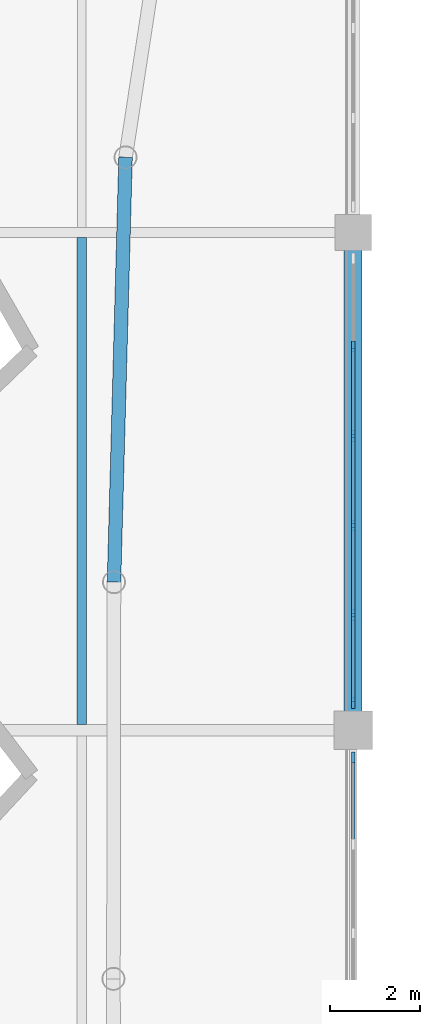
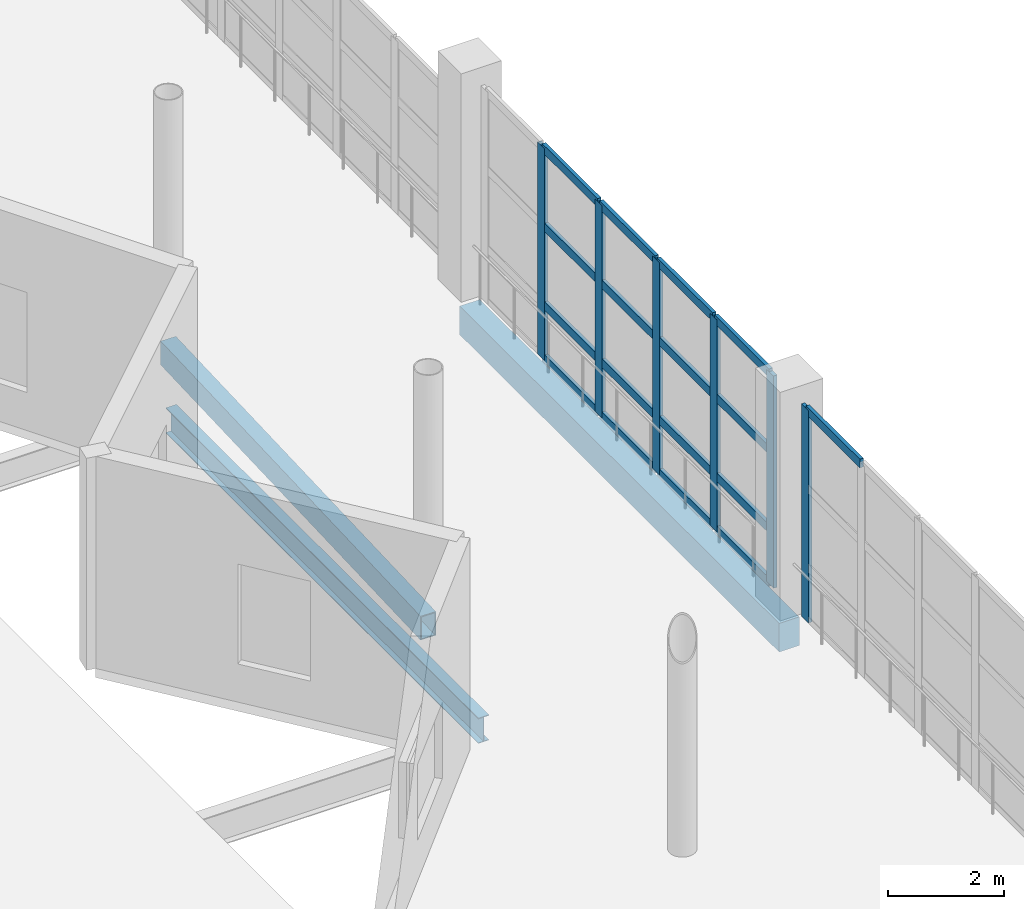
# One storey, part 15 of 53: 23 members, 3 beams, 2 elements without a shape of their own.
"""IFC4 building model written with IfcOpenShell, lengths in metres."""

import ifcopenshell
import ifcopenshell.guid

model = None  # the IFC model being written
_history = None  # IfcOwnerHistory: only IFC2X3 demands one
_inside = {}  # id of a spatial element -> (the spatial element, [elements in it])
_under = {}  # id of a project, library or spatial element -> (it, [spatial elements below it])
_declared = {}  # id of a project -> (the project, [libraries it declares])
_typed = {}  # id of a type object -> (the type object, [elements of that type])
_made_of = {}  # id of a material, layer set ... -> (it, [elements and type objects made of it])


def new_model(schema):
    """Start an empty IFC model of exactly this schema.

    Asked for "IFC4X3", IfcOpenShell would pick the latest addendum, in which some entities
    have other attributes; the version numbers below select the first issue.
    IFC2X3 requires an IfcOwnerHistory on every rooted entity: one is made here for all.
    """
    global model, _history
    if schema == "IFC4X3":
        model = ifcopenshell.file(schema_version=(4, 3, 0, 0))
    else:
        model = ifcopenshell.file(schema=schema)
    _inside.clear()
    _under.clear()
    _declared.clear()
    _typed.clear()
    _made_of.clear()
    _history = None
    if model.schema == "IFC2X3":
        org = make("IfcOrganization", Name="unknown")
        user = make(
            "IfcPersonAndOrganization",
            ThePerson=make("IfcPerson", FamilyName="unknown"),
            TheOrganization=org,
        )
        app = make(
            "IfcApplication",
            ApplicationDeveloper=org,
            Version="unknown",
            ApplicationFullName="unknown",
            ApplicationIdentifier="unknown",
        )
        _history = make(
            "IfcOwnerHistory",
            OwningUser=user,
            OwningApplication=app,
            ChangeAction="ADDED",
            CreationDate=0,
        )
    return model


def make(cls, **values):
    """One entity of the class cls with the attributes given. An attribute that is None is left unset."""
    return model.create_entity(
        cls, **{name: value for name, value in values.items() if value is not None}
    )


def rooted(cls, **values):
    """An entity with a GlobalId (a new one), such as an element, a storey or a relation."""
    return make(cls, GlobalId=ifcopenshell.guid.new(), OwnerHistory=_history, **values)


def si_unit(unit_type, name, prefix=None):
    """IfcSIUnit, for example si_unit("LENGTHUNIT", "METRE", prefix="MILLI")."""
    return make("IfcSIUnit", UnitType=unit_type, Prefix=prefix, Name=name)


def assignment(units):
    """IfcUnitAssignment: the units of a project."""
    return None if units is None else make("IfcUnitAssignment", Units=units)


def point(xyz):
    """IfcCartesianPoint."""
    return None if xyz is None else make("IfcCartesianPoint", Coordinates=xyz)


def direction(xyz):
    """IfcDirection."""
    return None if xyz is None else make("IfcDirection", DirectionRatios=xyz)


def frame(location, z_axis=None, x_axis=None):
    """IfcAxis2Placement3D, a coordinate frame: its origin and axes. An axis left out is left unset."""
    return make(
        "IfcAxis2Placement3D",
        Location=point(location),
        Axis=direction(z_axis),
        RefDirection=direction(x_axis),
    )


def frame_2d(location, x_axis=None):
    """IfcAxis2Placement2D, a coordinate frame in the plane: its origin and x axis."""
    return make(
        "IfcAxis2Placement2D", Location=point(location), RefDirection=direction(x_axis)
    )


def origin():
    """The frame at (0, 0, 0) with its axes left unset."""
    return frame((0.0, 0.0, 0.0))


def origin_2d():
    """The frame at (0, 0) in the plane with its x axis left unset."""
    return frame_2d((0.0, 0.0))


def place(relative_to, where):
    """IfcLocalPlacement: puts the frame where relative to a parent placement (None: the world)."""
    return make(
        "IfcLocalPlacement", PlacementRelTo=relative_to, RelativePlacement=where
    )


def context(
    kind, dimensions, precision=None, world=None, true_north=None, identifier=None
):
    """IfcGeometricRepresentationContext, for example the 3D "Model" context."""
    return make(
        "IfcGeometricRepresentationContext",
        ContextIdentifier=identifier,
        ContextType=kind,
        CoordinateSpaceDimension=dimensions,
        Precision=precision,
        WorldCoordinateSystem=world,
        TrueNorth=true_north,
    )


def subcontext(parent, identifier, kind, view, scale=None):
    """IfcGeometricRepresentationSubContext, for example "Body" below "Model"."""
    return make(
        "IfcGeometricRepresentationSubContext",
        ContextIdentifier=identifier,
        ContextType=kind,
        ParentContext=parent,
        TargetScale=scale,
        TargetView=view,
    )


def project(units=None, contexts=None):
    """IfcProject with its units and contexts."""
    return rooted(
        "IfcProject",
        Name="project",
        RepresentationContexts=contexts,
        UnitsInContext=assignment(units),
    )


def spatial(cls, under=None, at=None, **own):
    """A site, building, storey or space (cls), placed at a placement, below another one or the project."""
    s = rooted(cls, ObjectPlacement=at, **own)
    if under is not None:
        _under.setdefault(under.id(), (under, []))[1].append(s)
    return s


def profile(cls, at=None, kind="AREA", **sizes):
    """A parametric profile (cls). Its sizes go by their IFC names, for example OverallWidth=200.0."""
    return make(cls, ProfileType=kind, Position=at, **sizes)


def rectangle(**sizes):
    """IfcRectangleProfileDef."""
    return profile("IfcRectangleProfileDef", **sizes)


def hollow_rectangle(**sizes):
    """IfcRectangleHollowProfileDef."""
    return profile("IfcRectangleHollowProfileDef", **sizes)


def i_section(**sizes):
    """IfcIShapeProfileDef."""
    return profile("IfcIShapeProfileDef", **sizes)


def extrude(swept, where, along, depth):
    """IfcExtrudedAreaSolid: the profile swept, set in the frame where, extruded along a direction by depth."""
    return make(
        "IfcExtrudedAreaSolid",
        SweptArea=swept,
        Position=where,
        ExtrudedDirection=direction(along),
        Depth=depth,
    )


def shape(context_of_items, identifier, shape_type, items):
    """IfcShapeRepresentation: the items that make up one representation, for example the "Body"."""
    return make(
        "IfcShapeRepresentation",
        ContextOfItems=context_of_items,
        RepresentationIdentifier=identifier,
        RepresentationType=shape_type,
        Items=items,
    )


def material(Name=None, Category=None):
    """IfcMaterial."""
    return make("IfcMaterial", Name=Name, Category=Category)


def material_profile(
    of_material, cross_section, Name=None, Category=None, Priority=None
):
    """IfcMaterialProfile: a cross section and its material."""
    return make(
        "IfcMaterialProfile",
        Name=Name,
        Material=of_material,
        Profile=cross_section,
        Priority=Priority,
        Category=Category,
    )


def profile_set(profiles, Name=None, composite=None):
    """IfcMaterialProfileSet."""
    return make(
        "IfcMaterialProfileSet",
        Name=Name,
        MaterialProfiles=profiles,
        CompositeProfile=composite,
    )


def made_of(thing, what):
    """Note that an element or type object is made of a material, layer set ...; save() writes the relation."""
    if what is not None:
        _made_of.setdefault(what.id(), (what, []))[1].append(thing)
    return thing


def type_object(cls, material=None, **own):
    """A type object (cls), such as IfcWallType, which elements share."""
    return made_of(rooted(cls, **own), material)


def element(
    cls,
    number,
    at=None,
    inside=None,
    cuts=None,
    type_object=None,
    material=None,
    context=None,
    identifier="Body",
    shape_type=None,
    held_by="IfcProductDefinitionShape",
    body=None,
    shapes=None,
    **own,
):
    """One element of the class cls, such as IfcWall. Its Tag is "e" and its number.

    at: its placement. inside: the storey or other place that contains it. cuts: it is an
    opening in that element (IfcRelVoidsElement). A single representation is given by context,
    identifier, shape_type and body (its items); several are given by shapes. held_by: the class
    of the entity that holds the representations. save() writes the other relations.
    """
    e = rooted(cls, Tag="e%d" % number, ObjectPlacement=at, **own)
    if body is not None:
        shapes = [shape(context, identifier, shape_type, body)]
    if shapes is not None:
        e.Representation = make(held_by, Representations=shapes)
    if inside is not None:
        _inside.setdefault(inside.id(), (inside, []))[1].append(e)
    if cuts is not None:
        rooted(
            "IfcRelVoidsElement", RelatingBuildingElement=cuts, RelatedOpeningElement=e
        )
    if type_object is not None:
        _typed.setdefault(type_object.id(), (type_object, []))[1].append(e)
    return made_of(e, material)


def aggregate(whole, parts):
    """IfcRelAggregates: a whole, such as a stair, and the parts it consists of."""
    return rooted("IfcRelAggregates", RelatingObject=whole, RelatedObjects=parts)


def save(model, path):
    """Write the relations noted so far, then the file.

    IfcRelAggregates (storeys below a building ...), IfcRelContainedInSpatialStructure (elements
    in a storey), IfcRelDefinesByType, IfcRelAssociatesMaterial and IfcRelDeclares: one each for
    every whole, place, type object, material and project.
    """
    for whole, parts in _under.values():
        aggregate(whole, parts)
    for where, things in _inside.values():
        rooted(
            "IfcRelContainedInSpatialStructure",
            RelatedElements=things,
            RelatingStructure=where,
        )
    for kind, things in _typed.values():
        rooted("IfcRelDefinesByType", RelatedObjects=things, RelatingType=kind)
    for what, things in _made_of.values():
        rooted("IfcRelAssociatesMaterial", RelatedObjects=things, RelatingMaterial=what)
    for by, libraries in _declared.values():
        rooted("IfcRelDeclares", RelatingContext=by, RelatedDefinitions=libraries)
    model.write(path)


model = new_model("IFC4")

# Units and contexts
model_context = context("Model", 3, precision=1e-05, world=origin(), true_north=direction((0.0, 1.0)))
body_context = subcontext(model_context, "Body", "Model", "MODEL_VIEW")
ifc_project = project(units=[si_unit("LENGTHUNIT", "METRE"), si_unit("AREAUNIT", "SQUARE_METRE"), si_unit("VOLUMEUNIT", "CUBIC_METRE"), si_unit("PLANEANGLEUNIT", "RADIAN"), si_unit("MASSUNIT", "GRAM", prefix="KILO")], contexts=[model_context])

# Site, building, storey
site_placement = place(None, origin())
site = spatial("IfcSite", under=ifc_project, at=site_placement, CompositionType="ELEMENT")
building_placement = place(site_placement, origin())
building = spatial("IfcBuilding", under=site, at=building_placement, Name="Luwafu Chhajja Arena", CompositionType="ELEMENT")
storey_placement = place(building_placement, frame((0.0, 0.0, 19.5)))
storey = spatial("IfcBuildingStorey", under=building, at=storey_placement, Name="L04", CompositionType="ELEMENT", Elevation=19.5)

# Curtain wall, member
ifc_material_1 = material(Name="Anodised bronze aluminium", Category="aluminium")
curtain_wall_type = type_object("IfcCurtainWallType", Name="Media Ribbon Curtain Wall", PredefinedType="USERDEFINED", material=ifc_material_1)
curtain_wall_1_placement = place(storey_placement, origin())
curtain_wall_1 = element("IfcCurtainWall", 1, at=curtain_wall_1_placement, inside=storey, type_object=curtain_wall_type, Name="L04 Bowl Viewing Curtain Wall CWR-L04-17", ObjectType="CURTAIN WALL", PredefinedType="USERDEFINED")
ifc_material_profile_1 = material_profile(ifc_material_1, rectangle(XDim=0.070068359375, YDim=0.239990234375, at=origin_2d()), Name="CWM 70x240")
ifc_profile_set_1 = profile_set([ifc_material_profile_1], Name="Anodised bronze aluminium")
member_type_1 = type_object("IfcMemberType", Name="Bronze Curtain Wall Mullion 70x240", PredefinedType="MULLION", material=ifc_profile_set_1)
member_1_placement = place(storey_placement, frame((58.0, 54.39990234375, 0.0), z_axis=(0.0, 0.0, 1.0), x_axis=(-1.0, 0.0, 0.0)))
member_1 = element("IfcMember", 2, at=member_1_placement, type_object=member_type_1, Name="CW-03 mullion 6", PredefinedType="MULLION", context=body_context, shape_type="SweptSolid", body=[
    extrude(rectangle(XDim=0.070068359375, YDim=0.239990234375, at=origin_2d()), origin(), (0.0, 0.0, 1.0), 4.4599609375),
])

# Curtain wall, members
curtain_wall_2_placement = place(storey_placement, origin())
curtain_wall_2 = element("IfcCurtainWall", 3, at=curtain_wall_2_placement, inside=storey, type_object=curtain_wall_type, Name="L04 Bowl Viewing Curtain Wall CWR-L04-18", ObjectType="CURTAIN WALL", PredefinedType="USERDEFINED")
member_2_placement = place(storey_placement, frame((58.0, 55.60009765625, 0.0), z_axis=(0.0, 0.0, 1.0), x_axis=(-1.0, 0.0, 0.0)))
member_2 = element("IfcMember", 4, at=member_2_placement, type_object=member_type_1, Name="CW-03 mullion 1", PredefinedType="MULLION", context=body_context, shape_type="SweptSolid", body=[
    extrude(rectangle(XDim=0.070068359375, YDim=0.239990234375, at=origin_2d()), origin(), (0.0, 0.0, 1.0), 4.4599609375),
])
member_3_placement = place(storey_placement, frame((58.0, 57.5439453125, 0.0), z_axis=(0.0, 0.0, 1.0), x_axis=(-1.0, 0.0, 0.0)))
member_3 = element("IfcMember", 5, at=member_3_placement, type_object=member_type_1, Name="CW-03 mullion 2", PredefinedType="MULLION", context=body_context, shape_type="SweptSolid", body=[
    extrude(rectangle(XDim=0.070068359375, YDim=0.239990234375, at=origin_2d()), origin(), (0.0, 0.0, 1.0), 4.4599609375),
])
member_4_placement = place(storey_placement, frame((58.0, 59.52294921875, 0.0), z_axis=(0.0, 0.0, 1.0), x_axis=(-1.0, 0.0, 0.0)))
member_4 = element("IfcMember", 6, at=member_4_placement, type_object=member_type_1, Name="CW-03 mullion 3", PredefinedType="MULLION", context=body_context, shape_type="SweptSolid", body=[
    extrude(rectangle(XDim=0.070068359375, YDim=0.239990234375, at=origin_2d()), origin(), (0.0, 0.0, 1.0), 4.4599609375),
])
member_5_placement = place(storey_placement, frame((58.0, 61.501953125, 0.0), z_axis=(0.0, 0.0, 1.0), x_axis=(-1.0, 0.0, 0.0)))
member_5 = element("IfcMember", 7, at=member_5_placement, type_object=member_type_1, Name="CW-03 mullion 4", PredefinedType="MULLION", context=body_context, shape_type="SweptSolid", body=[
    extrude(rectangle(XDim=0.070068359375, YDim=0.239990234375, at=origin_2d()), origin(), (0.0, 0.0, 1.0), 4.4599609375),
])
member_6_placement = place(storey_placement, frame((58.0, 63.48095703125, 0.0), z_axis=(0.0, 0.0, 1.0), x_axis=(-1.0, 0.0, 0.0)))
member_6 = element("IfcMember", 8, at=member_6_placement, type_object=member_type_1, Name="CW-03 mullion 5", PredefinedType="MULLION", context=body_context, shape_type="SweptSolid", body=[
    extrude(rectangle(XDim=0.070068359375, YDim=0.239990234375, at=origin_2d()), origin(), (0.0, 0.0, 1.0), 4.4599609375),
])

# Member
ifc_material_profile_2 = material_profile(ifc_material_1, rectangle(XDim=0.070068359375, YDim=0.179931640625, at=origin_2d()), Name="CWT 70x180")
ifc_profile_set_2 = profile_set([ifc_material_profile_2], Name="Anodised bronze aluminium")
member_type_2 = type_object("IfcMemberType", Name="Bronze Curtain Wall Transom 70x180", PredefinedType="USERDEFINED", material=ifc_profile_set_2)
member_7_placement = place(storey_placement, frame((58.0, 52.506103515625, 4.425048828125), z_axis=(0.0, 1.0, 0.0), x_axis=(-1.0, 0.0, 0.0)))
member_7 = element("IfcMember", 9, at=member_7_placement, type_object=member_type_2, Name="CW-03 transom 5.4", ObjectType="TRANSOM", PredefinedType="USERDEFINED", context=body_context, shape_type="SweptSolid", body=[
    extrude(rectangle(XDim=0.070068359375, YDim=0.179931640625, at=origin_2d()), origin(), (0.0, 0.0, 1.0), 1.85888671875),
])

aggregate(curtain_wall_1, [member_1, member_7])

member_8_placement = place(storey_placement, frame((58.0, 55.635009765625, 0.034912109375), z_axis=(0.0, 1.0, 0.0), x_axis=(-1.0, 0.0, 0.0)))
member_8 = element("IfcMember", 10, at=member_8_placement, type_object=member_type_2, Name="CW-03 transom 1.1", ObjectType="TRANSOM", PredefinedType="USERDEFINED", context=body_context, shape_type="SweptSolid", body=[
    extrude(rectangle(XDim=0.070068359375, YDim=0.179931640625, at=origin_2d()), origin(), (0.0, 0.0, 1.0), 1.8740234375),
])

member_9_placement = place(storey_placement, frame((58.0, 55.635009765625, 1.14990234375), z_axis=(0.0, 1.0, 0.0), x_axis=(-1.0, 0.0, 0.0)))
member_9 = element("IfcMember", 11, at=member_9_placement, type_object=member_type_2, Name="CW-03 transom 1.2", ObjectType="TRANSOM", PredefinedType="USERDEFINED", context=body_context, shape_type="SweptSolid", body=[
    extrude(rectangle(XDim=0.070068359375, YDim=0.179931640625, at=origin_2d()), origin(), (0.0, 0.0, 1.0), 1.8740234375),
])

member_10_placement = place(storey_placement, frame((58.0, 55.635009765625, 2.804931640625), z_axis=(0.0, 1.0, 0.0), x_axis=(-1.0, 0.0, 0.0)))
member_10 = element("IfcMember", 12, at=member_10_placement, type_object=member_type_2, Name="CW-03 transom 1.3", ObjectType="TRANSOM", PredefinedType="USERDEFINED", context=body_context, shape_type="SweptSolid", body=[
    extrude(rectangle(XDim=0.070068359375, YDim=0.179931640625, at=origin_2d()), origin(), (0.0, 0.0, 1.0), 1.8740234375),
])

member_11_placement = place(storey_placement, frame((58.0, 55.635009765625, 4.425048828125), z_axis=(0.0, 1.0, 0.0), x_axis=(-1.0, 0.0, 0.0)))
member_11 = element("IfcMember", 13, at=member_11_placement, type_object=member_type_2, Name="CW-03 transom 1.4", ObjectType="TRANSOM", PredefinedType="USERDEFINED", context=body_context, shape_type="SweptSolid", body=[
    extrude(rectangle(XDim=0.070068359375, YDim=0.179931640625, at=origin_2d()), origin(), (0.0, 0.0, 1.0), 1.8740234375),
])

member_12_placement = place(storey_placement, frame((58.0, 57.5791015625, 0.034912109375), z_axis=(0.0, 1.0, 0.0), x_axis=(-1.0, 0.0, 0.0)))
member_12 = element("IfcMember", 14, at=member_12_placement, type_object=member_type_2, Name="CW-03 transom 2.1", ObjectType="TRANSOM", PredefinedType="USERDEFINED", context=body_context, shape_type="SweptSolid", body=[
    extrude(rectangle(XDim=0.070068359375, YDim=0.179931640625, at=origin_2d()), origin(), (0.0, 0.0, 1.0), 1.908935546875),
])

member_13_placement = place(storey_placement, frame((58.0, 57.5791015625, 1.14990234375), z_axis=(0.0, 1.0, 0.0), x_axis=(-1.0, 0.0, 0.0)))
member_13 = element("IfcMember", 15, at=member_13_placement, type_object=member_type_2, Name="CW-03 transom 2.2", ObjectType="TRANSOM", PredefinedType="USERDEFINED", context=body_context, shape_type="SweptSolid", body=[
    extrude(rectangle(XDim=0.070068359375, YDim=0.179931640625, at=origin_2d()), origin(), (0.0, 0.0, 1.0), 1.908935546875),
])

member_14_placement = place(storey_placement, frame((58.0, 57.5791015625, 2.804931640625), z_axis=(0.0, 1.0, 0.0), x_axis=(-1.0, 0.0, 0.0)))
member_14 = element("IfcMember", 16, at=member_14_placement, type_object=member_type_2, Name="CW-03 transom 2.3", ObjectType="TRANSOM", PredefinedType="USERDEFINED", context=body_context, shape_type="SweptSolid", body=[
    extrude(rectangle(XDim=0.070068359375, YDim=0.179931640625, at=origin_2d()), origin(), (0.0, 0.0, 1.0), 1.908935546875),
])

member_15_placement = place(storey_placement, frame((58.0, 57.5791015625, 4.425048828125), z_axis=(0.0, 1.0, 0.0), x_axis=(-1.0, 0.0, 0.0)))
member_15 = element("IfcMember", 17, at=member_15_placement, type_object=member_type_2, Name="CW-03 transom 2.4", ObjectType="TRANSOM", PredefinedType="USERDEFINED", context=body_context, shape_type="SweptSolid", body=[
    extrude(rectangle(XDim=0.070068359375, YDim=0.179931640625, at=origin_2d()), origin(), (0.0, 0.0, 1.0), 1.908935546875),
])

member_16_placement = place(storey_placement, frame((58.0, 59.55810546875, 0.034912109375), z_axis=(0.0, 1.0, 0.0), x_axis=(-1.0, 0.0, 0.0)))
member_16 = element("IfcMember", 18, at=member_16_placement, type_object=member_type_2, Name="CW-03 transom 3.1", ObjectType="TRANSOM", PredefinedType="USERDEFINED", context=body_context, shape_type="SweptSolid", body=[
    extrude(rectangle(XDim=0.070068359375, YDim=0.179931640625, at=origin_2d()), origin(), (0.0, 0.0, 1.0), 1.908935546875),
])

member_17_placement = place(storey_placement, frame((58.0, 59.55810546875, 1.14990234375), z_axis=(0.0, 1.0, 0.0), x_axis=(-1.0, 0.0, 0.0)))
member_17 = element("IfcMember", 19, at=member_17_placement, type_object=member_type_2, Name="CW-03 transom 3.2", ObjectType="TRANSOM", PredefinedType="USERDEFINED", context=body_context, shape_type="SweptSolid", body=[
    extrude(rectangle(XDim=0.070068359375, YDim=0.179931640625, at=origin_2d()), origin(), (0.0, 0.0, 1.0), 1.908935546875),
])

member_18_placement = place(storey_placement, frame((58.0, 59.55810546875, 2.804931640625), z_axis=(0.0, 1.0, 0.0), x_axis=(-1.0, 0.0, 0.0)))
member_18 = element("IfcMember", 20, at=member_18_placement, type_object=member_type_2, Name="CW-03 transom 3.3", ObjectType="TRANSOM", PredefinedType="USERDEFINED", context=body_context, shape_type="SweptSolid", body=[
    extrude(rectangle(XDim=0.070068359375, YDim=0.179931640625, at=origin_2d()), origin(), (0.0, 0.0, 1.0), 1.908935546875),
])

member_19_placement = place(storey_placement, frame((58.0, 59.55810546875, 4.425048828125), z_axis=(0.0, 1.0, 0.0), x_axis=(-1.0, 0.0, 0.0)))
member_19 = element("IfcMember", 21, at=member_19_placement, type_object=member_type_2, Name="CW-03 transom 3.4", ObjectType="TRANSOM", PredefinedType="USERDEFINED", context=body_context, shape_type="SweptSolid", body=[
    extrude(rectangle(XDim=0.070068359375, YDim=0.179931640625, at=origin_2d()), origin(), (0.0, 0.0, 1.0), 1.908935546875),
])

member_20_placement = place(storey_placement, frame((58.0, 61.537109375, 0.034912109375), z_axis=(0.0, 1.0, 0.0), x_axis=(-1.0, 0.0, 0.0)))
member_20 = element("IfcMember", 22, at=member_20_placement, type_object=member_type_2, Name="CW-03 transom 4.1", ObjectType="TRANSOM", PredefinedType="USERDEFINED", context=body_context, shape_type="SweptSolid", body=[
    extrude(rectangle(XDim=0.070068359375, YDim=0.179931640625, at=origin_2d()), origin(), (0.0, 0.0, 1.0), 1.908935546875),
])

member_21_placement = place(storey_placement, frame((58.0, 61.537109375, 1.14990234375), z_axis=(0.0, 1.0, 0.0), x_axis=(-1.0, 0.0, 0.0)))
member_21 = element("IfcMember", 23, at=member_21_placement, type_object=member_type_2, Name="CW-03 transom 4.2", ObjectType="TRANSOM", PredefinedType="USERDEFINED", context=body_context, shape_type="SweptSolid", body=[
    extrude(rectangle(XDim=0.070068359375, YDim=0.179931640625, at=origin_2d()), origin(), (0.0, 0.0, 1.0), 1.908935546875),
])

member_22_placement = place(storey_placement, frame((58.0, 61.537109375, 2.804931640625), z_axis=(0.0, 1.0, 0.0), x_axis=(-1.0, 0.0, 0.0)))
member_22 = element("IfcMember", 24, at=member_22_placement, type_object=member_type_2, Name="CW-03 transom 4.3", ObjectType="TRANSOM", PredefinedType="USERDEFINED", context=body_context, shape_type="SweptSolid", body=[
    extrude(rectangle(XDim=0.070068359375, YDim=0.179931640625, at=origin_2d()), origin(), (0.0, 0.0, 1.0), 1.908935546875),
])

member_23_placement = place(storey_placement, frame((58.0, 61.537109375, 4.425048828125), z_axis=(0.0, 1.0, 0.0), x_axis=(-1.0, 0.0, 0.0)))
member_23 = element("IfcMember", 25, at=member_23_placement, type_object=member_type_2, Name="CW-03 transom 4.4", ObjectType="TRANSOM", PredefinedType="USERDEFINED", context=body_context, shape_type="SweptSolid", body=[
    extrude(rectangle(XDim=0.070068359375, YDim=0.179931640625, at=origin_2d()), origin(), (0.0, 0.0, 1.0), 1.908935546875),
])

aggregate(curtain_wall_2, [member_2, member_3, member_4, member_5, member_6, member_8, member_9, member_10, member_11, member_12, member_13, member_14, member_15, member_16, member_17, member_18, member_19, member_20, member_21, member_22, member_23])

# Beams
ifc_material_2 = material(Name="Steel S355", Category="steel")
ifc_material_profile_3 = material_profile(ifc_material_2, i_section(OverallWidth=0.209228515625, OverallDepth=0.533203125, WebThickness=0.010009765625, FlangeThickness=0.015625, at=origin_2d()), Name="UB 533x210x92")
ifc_profile_set_3 = profile_set([ifc_material_profile_3], Name="Steel S355")
beam_type_1 = type_object("IfcBeamType", Name="Floor Joist UB 533x210x92", PredefinedType="JOIST", material=ifc_profile_set_3)
beam_1_placement = place(storey_placement, frame((52.0, 55.126708984375, -0.656494140625), z_axis=(0.0, 1.0, 0.0), x_axis=(-1.0, 0.0, 0.0)))
element("IfcBeam", 26, at=beam_1_placement, inside=storey, type_object=beam_type_1, Name="L04 Secondary Joist 5-6/F", PredefinedType="JOIST", context=body_context, shape_type="SweptSolid", body=[
    extrude(i_section(OverallWidth=0.209228515625, OverallDepth=0.533203125, WebThickness=0.010009765625, FlangeThickness=0.015625, at=origin_2d()), origin(), (0.0, 0.0, 1.0), 10.7587890625),
])
ifc_material_profile_4 = material_profile(ifc_material_2, hollow_rectangle(XDim=0.300048828125, YDim=0.5, WallThickness=0.02001953125, at=origin_2d()), Name="RHS 500x300x20")
ifc_profile_set_4 = profile_set([ifc_material_profile_4], Name="Steel S355")
beam_type_2 = type_object("IfcBeamType", Name="Pleated Drum Spandrel Beam RHS 500x300", PredefinedType="SPANDREL", material=ifc_profile_set_4)
beam_2_placement = place(storey_placement, frame((52.968017578125, 67.6611328125, -0.639892578125), z_axis=(-0.02720805866, -0.999629792245, 0.0), x_axis=(0.999629792245, -0.02720805866, 0.0)))
element("IfcBeam", 27, at=beam_2_placement, inside=storey, type_object=beam_type_2, Name="L04 Drum Ring Spandrel D15-D16", PredefinedType="SPANDREL", context=body_context, shape_type="SweptSolid", body=[
    extrude(hollow_rectangle(XDim=0.300048828125, YDim=0.5, WallThickness=0.02001953125, at=origin_2d()), origin(), (0.0, 0.0, 1.0), 9.394775390625),
])
ifc_material_3 = material(Name="Concrete C35/45", Category="concrete")
ifc_material_profile_5 = material_profile(ifc_material_3, rectangle(XDim=0.39990234375, YDim=0.60009765625, at=origin_2d()), Name="RC 400x600")
ifc_profile_set_5 = profile_set([ifc_material_profile_5], Name="Concrete C35/45")
beam_type_3 = type_object("IfcBeamType", Name="Podium Perimeter Spandrel RC 400x600", PredefinedType="SPANDREL", material=ifc_profile_set_5)
beam_3_placement = place(storey_placement, frame((58.0, 55.0, -0.68994140625), z_axis=(0.0, 1.0, 0.0), x_axis=(-1.0, 0.0, 0.0)))
element("IfcBeam", 28, at=beam_3_placement, inside=storey, type_object=beam_type_3, Name="L04 Grid Beam 6/F-G", PredefinedType="SPANDREL", context=body_context, shape_type="SweptSolid", body=[
    extrude(rectangle(XDim=0.39990234375, YDim=0.60009765625, at=origin_2d()), origin(), (0.0, 0.0, 1.0), 11.0),
])

save(model, "model.ifc")
